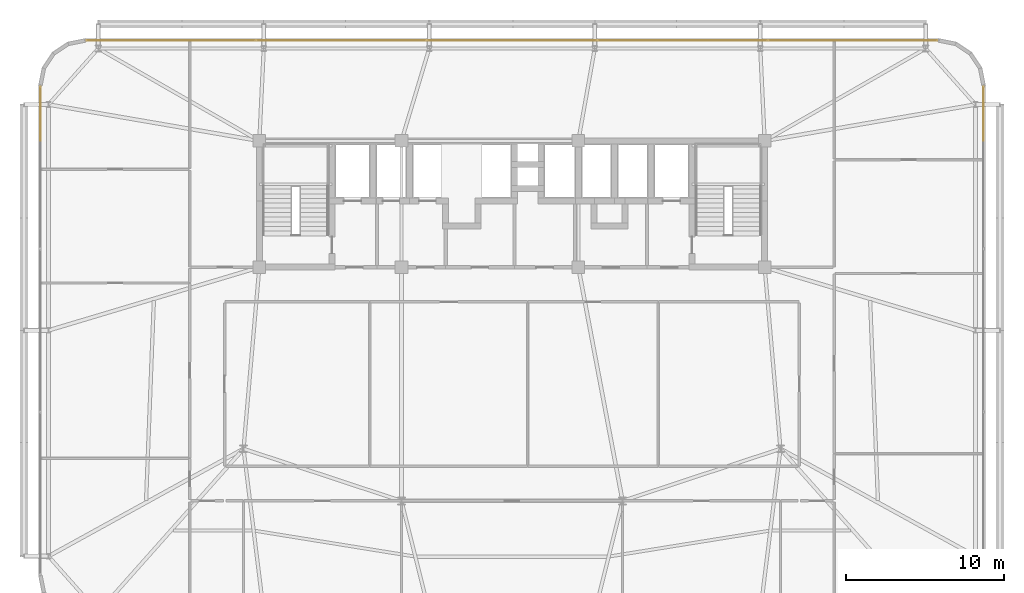
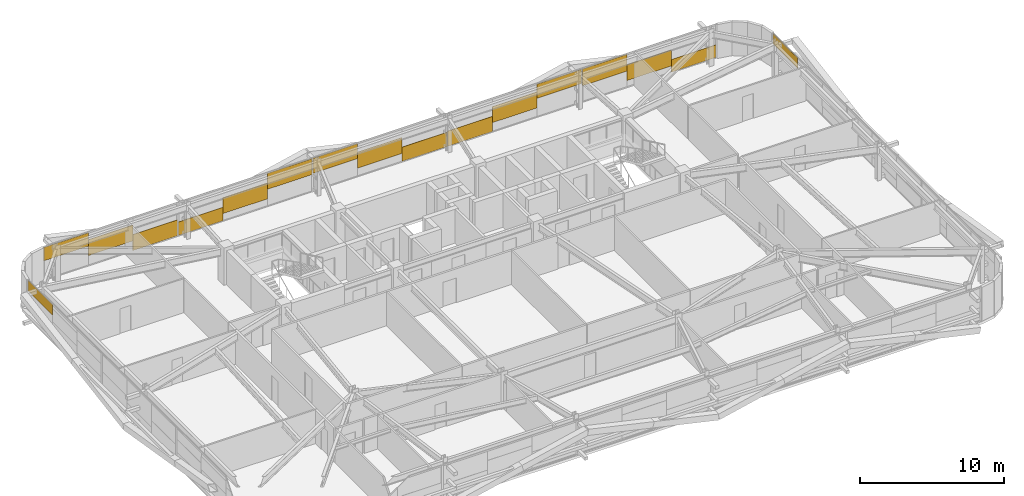
# One storey, part 45 of 45: 17 coverings.
"""IFC4 building model written with IfcOpenShell, lengths in metres."""

from ifc_helpers import new_model, si_unit, direction, frame, origin, origin_2d, place, context, subcontext, project, spatial, rectangle, extrude, source, transform, mapped, material, layer, layer_set, type_object, element, save


model = new_model("IFC4")

# Units and contexts
model_context = context("Model", 3, precision=1e-05, world=origin(), true_north=direction((0.0, 1.0)))
body_context = subcontext(model_context, "Body", "Model", "MODEL_VIEW")
ifc_project = project(units=[si_unit("LENGTHUNIT", "METRE"), si_unit("AREAUNIT", "SQUARE_METRE"), si_unit("VOLUMEUNIT", "CUBIC_METRE"), si_unit("PLANEANGLEUNIT", "RADIAN"), si_unit("MASSUNIT", "GRAM", prefix="KILO")], contexts=[model_context])

# Site, building, storey
site_placement = place(None, origin())
site = spatial("IfcSite", under=ifc_project, at=site_placement, CompositionType="ELEMENT")
building_placement = place(site_placement, origin())
building = spatial("IfcBuilding", under=site, at=building_placement, Name="Taldren Reach Tower", CompositionType="ELEMENT")
storey_placement = place(building_placement, frame((0.0, 0.0, 57.75)))
storey = spatial("IfcBuildingStorey", under=building, at=storey_placement, Name="L17", CompositionType="ELEMENT", Elevation=57.75)

# Coverings
ifc_material = material(Name="Pale Champagne Fluoropolymer Aluminium Spandrel Cladding", Category="aluminium")
ifc_layer = layer(ifc_material, 0.0439453125)
ifc_layer_set = layer_set([ifc_layer], Name="Pale Champagne Fluoropolymer Aluminium Spandrel Cladding")
covering_type = type_object("IfcCoveringType", Name="CV-CLAD-044", PredefinedType="CLADDING", material=ifc_layer_set)
shared_shape_1 = source(origin(), body_context, "Body", "SweptSolid", [
    extrude(rectangle(XDim=3.5673828125, YDim=0.0439453125, at=origin_2d()), origin(), (0.0, 0.0, 1.0), 1.132080078125),
])
covering_1_placement = place(storey_placement, frame((9.8486328125, 38.360107421875, 1.68310546875), z_axis=(0.0, 0.0, 1.0), x_axis=(-1.0, 0.0, 0.0)))
element("IfcCovering", 1, at=covering_1_placement, inside=storey, type_object=covering_type, Name="Diagrid closure cladding strip CW-2 panel 5.1 3", PredefinedType="CLADDING", context=body_context, shape_type="MappedRepresentation", body=[
    mapped(shared_shape_1, transform((0.0, 0.0, 0.0), scale=1.0)),
])
shared_shape_2 = source(origin(), body_context, "Body", "SweptSolid", [
    extrude(rectangle(XDim=3.5673828125, YDim=0.0439453125, at=origin_2d()), origin(), (0.0, 0.0, 1.0), 1.339599609375),
])
for number, where, z_axis, x_axis, name in (
    (2, (56.583740234375, 38.360107421875, 0.59423828125), (0.0, 0.0, 1.0), (-1.0, 0.0, 0.0), "Diagrid closure cladding strip CW-2 panel 1.1 2"),
    (3, (13.416259765625, 38.360107421875, 0.87646484375), (0.0, 0.0, 1.0), (-1.0, 0.0, 0.0), "Diagrid closure cladding strip CW-2 panel 5.1 2"),
):
    element("IfcCovering", number, at=place(storey_placement, frame(where, z_axis=z_axis, x_axis=x_axis)), inside=storey, type_object=covering_type, Name=name, PredefinedType="CLADDING", context=body_context, shape_type="MappedRepresentation", body=[
        mapped(shared_shape_2, transform((0.0, 0.0, 0.0), scale=1.0)),
    ])
shared_shape_3 = source(origin(), body_context, "Body", "SweptSolid", [
    extrude(rectangle(XDim=3.5673828125, YDim=0.0439453125, at=origin_2d()), origin(), (0.0, 0.0, 1.0), 1.35400390625),
])
covering_2_placement = place(storey_placement, frame((16.983642578125, 38.360107421875, 0.05517578125), z_axis=(0.0, 0.0, 1.0), x_axis=(-1.0, 0.0, 0.0)))
element("IfcCovering", 4, at=covering_2_placement, inside=storey, type_object=covering_type, Name="Diagrid closure cladding strip CW-2 panel 5.1 1", PredefinedType="CLADDING", context=body_context, shape_type="MappedRepresentation", body=[
    mapped(shared_shape_3, transform((0.0, 0.0, 0.0), scale=1.0)),
])
shared_shape_4 = source(origin(), body_context, "Body", "SweptSolid", [
    extrude(rectangle(XDim=3.578369140625, YDim=0.0439453125, at=origin_2d()), origin(), (0.0, 0.0, 1.0), 1.139404296875),
])
covering_3_placement = place(storey_placement, frame((20.62158203125, 38.360107421875, 0.05517578125), z_axis=(0.0, 0.0, 1.0), x_axis=(-1.0, 0.0, 0.0)))
element("IfcCovering", 5, at=covering_3_placement, inside=storey, type_object=covering_type, Name="Diagrid closure cladding strip CW-2 panel 4.1 3", PredefinedType="CLADDING", context=body_context, shape_type="MappedRepresentation", body=[
    mapped(shared_shape_4, transform((0.0, 0.0, 0.0), scale=1.0)),
])
shared_shape_5 = source(origin(), body_context, "Body", "SweptSolid", [
    extrude(rectangle(XDim=3.578369140625, YDim=0.0439453125, at=origin_2d()), origin(), (0.0, 0.0, 1.0), 1.342041015625),
])
for number, where, z_axis, x_axis, name in (
    (6, (45.800048828125, 38.360107421875, 0.80615234375), (0.0, 0.0, 1.0), (-1.0, 0.0, 0.0), "Diagrid closure cladding strip CW-2 panel 2.1 2"),
    (7, (35.0, 38.360107421875, 0.73388671875), (0.0, 0.0, 1.0), (-1.0, 0.0, 0.0), "Diagrid closure cladding strip CW-2 panel 3.1 2"),
    (8, (24.199951171875, 38.360107421875, 0.66162109375), (0.0, 0.0, 1.0), (-1.0, 0.0, 0.0), "Diagrid closure cladding strip CW-2 panel 4.1 2"),
):
    element("IfcCovering", number, at=place(storey_placement, frame(where, z_axis=z_axis, x_axis=x_axis)), inside=storey, type_object=covering_type, Name=name, PredefinedType="CLADDING", context=body_context, shape_type="MappedRepresentation", body=[
        mapped(shared_shape_5, transform((0.0, 0.0, 0.0), scale=1.0)),
    ])
shared_shape_6 = source(origin(), body_context, "Body", "SweptSolid", [
    extrude(rectangle(XDim=3.578369140625, YDim=0.0439453125, at=origin_2d()), origin(), (0.0, 0.0, 1.0), 1.34423828125),
])
covering_4_placement = place(storey_placement, frame((27.7783203125, 38.360107421875, 1.470703125), z_axis=(0.0, 0.0, 1.0), x_axis=(-1.0, 0.0, 0.0)))
element("IfcCovering", 9, at=covering_4_placement, inside=storey, type_object=covering_type, Name="Diagrid closure cladding strip CW-2 panel 4.1 1", PredefinedType="CLADDING", context=body_context, shape_type="MappedRepresentation", body=[
    mapped(shared_shape_6, transform((0.0, 0.0, 0.0), scale=1.0)),
])
shared_shape_7 = source(origin(), body_context, "Body", "SweptSolid", [
    extrude(rectangle(XDim=3.578369140625, YDim=0.0439453125, at=origin_2d()), origin(), (0.0, 0.0, 1.0), 1.271728515625),
])
covering_5_placement = place(storey_placement, frame((31.421630859375, 38.360107421875, 1.54345703125), z_axis=(0.0, 0.0, 1.0), x_axis=(-1.0, 0.0, 0.0)))
element("IfcCovering", 10, at=covering_5_placement, inside=storey, type_object=covering_type, Name="Diagrid closure cladding strip CW-2 panel 3.1 3", PredefinedType="CLADDING", context=body_context, shape_type="MappedRepresentation", body=[
    mapped(shared_shape_7, transform((0.0, 0.0, 0.0), scale=1.0)),
])
shared_shape_8 = source(origin(), body_context, "Body", "SweptSolid", [
    extrude(rectangle(XDim=3.578369140625, YDim=0.0439453125, at=origin_2d()), origin(), (0.0, 0.0, 1.0), 1.2119140625),
])
covering_6_placement = place(storey_placement, frame((38.578369140625, 38.360107421875, 0.054931640625), z_axis=(0.0, 0.0, 1.0), x_axis=(-1.0, 0.0, 0.0)))
element("IfcCovering", 11, at=covering_6_placement, inside=storey, type_object=covering_type, Name="Diagrid closure cladding strip CW-2 panel 3.1 1", PredefinedType="CLADDING", context=body_context, shape_type="MappedRepresentation", body=[
    mapped(shared_shape_8, transform((0.0, 0.0, 0.0), scale=1.0)),
])
shared_shape_9 = source(origin(), body_context, "Body", "SweptSolid", [
    extrude(rectangle(XDim=3.578369140625, YDim=0.0439453125, at=origin_2d()), origin(), (0.0, 0.0, 1.0), 1.2841796875),
])
covering_7_placement = place(storey_placement, frame((42.2216796875, 38.360107421875, 0.054931640625), z_axis=(0.0, 0.0, 1.0), x_axis=(-1.0, 0.0, 0.0)))
element("IfcCovering", 12, at=covering_7_placement, inside=storey, type_object=covering_type, Name="Diagrid closure cladding strip CW-2 panel 2.1 3", PredefinedType="CLADDING", context=body_context, shape_type="MappedRepresentation", body=[
    mapped(shared_shape_9, transform((0.0, 0.0, 0.0), scale=1.0)),
])
shared_shape_10 = source(origin(), body_context, "Body", "SweptSolid", [
    extrude(rectangle(XDim=3.578369140625, YDim=0.0439453125, at=origin_2d()), origin(), (0.0, 0.0, 1.0), 1.199462890625),
])
covering_8_placement = place(storey_placement, frame((49.37841796875, 38.360107421875, 1.61572265625), z_axis=(0.0, 0.0, 1.0), x_axis=(-1.0, 0.0, 0.0)))
element("IfcCovering", 13, at=covering_8_placement, inside=storey, type_object=covering_type, Name="Diagrid closure cladding strip CW-2 panel 2.1 1", PredefinedType="CLADDING", context=body_context, shape_type="MappedRepresentation", body=[
    mapped(shared_shape_10, transform((0.0, 0.0, 0.0), scale=1.0)),
])
shared_shape_11 = source(origin(), body_context, "Body", "SweptSolid", [
    extrude(rectangle(XDim=3.5673828125, YDim=0.0439453125, at=origin_2d()), origin(), (0.0, 0.0, 1.0), 1.4140625),
])
covering_9_placement = place(storey_placement, frame((53.016357421875, 38.360107421875, 1.40087890625), z_axis=(0.0, 0.0, 1.0), x_axis=(-1.0, 0.0, 0.0)))
element("IfcCovering", 14, at=covering_9_placement, inside=storey, type_object=covering_type, Name="Diagrid closure cladding strip CW-2 panel 1.1 3", PredefinedType="CLADDING", context=body_context, shape_type="MappedRepresentation", body=[
    mapped(shared_shape_11, transform((0.0, 0.0, 0.0), scale=1.0)),
])
shared_shape_12 = source(origin(), body_context, "Body", "SweptSolid", [
    extrude(rectangle(XDim=3.5673828125, YDim=0.0439453125, at=origin_2d()), origin(), (0.0, 0.0, 1.0), 1.072021484375),
])
covering_10_placement = place(storey_placement, frame((60.1513671875, 38.360107421875, 0.05517578125), z_axis=(0.0, 0.0, 1.0), x_axis=(-1.0, 0.0, 0.0)))
element("IfcCovering", 15, at=covering_10_placement, inside=storey, type_object=covering_type, Name="Diagrid closure cladding strip CW-2 panel 1.1 1", PredefinedType="CLADDING", context=body_context, shape_type="MappedRepresentation", body=[
    mapped(shared_shape_12, transform((0.0, 0.0, 0.0), scale=1.0)),
])
shared_shape_13 = source(origin(), body_context, "Body", "SweptSolid", [
    extrude(rectangle(XDim=3.411865234375, YDim=0.0439453125, at=origin_2d()), origin(), (0.0, 0.0, 1.0), 0.865966796875),
])
for number, where, z_axis, x_axis, name in (
    (16, (5.139892578125, 33.72900390625, 1.94921875), (0.0, 0.0, 1.0), (0.0, -1.0, 0.0), "Diagrid closure cladding strip CW-2 panel 1.1 1"),
    (17, (64.860107421875, 33.72900390625, 1.94921875), (0.0, 0.0, 1.0), (0.0, 1.0, 0.0), "Diagrid closure cladding strip CW-2 panel 3.1 3"),
):
    element("IfcCovering", number, at=place(storey_placement, frame(where, z_axis=z_axis, x_axis=x_axis)), inside=storey, type_object=covering_type, Name=name, PredefinedType="CLADDING", context=body_context, shape_type="MappedRepresentation", body=[
        mapped(shared_shape_13, transform((0.0, 0.0, 0.0), scale=1.0)),
    ])

save(model, "model.ifc")
